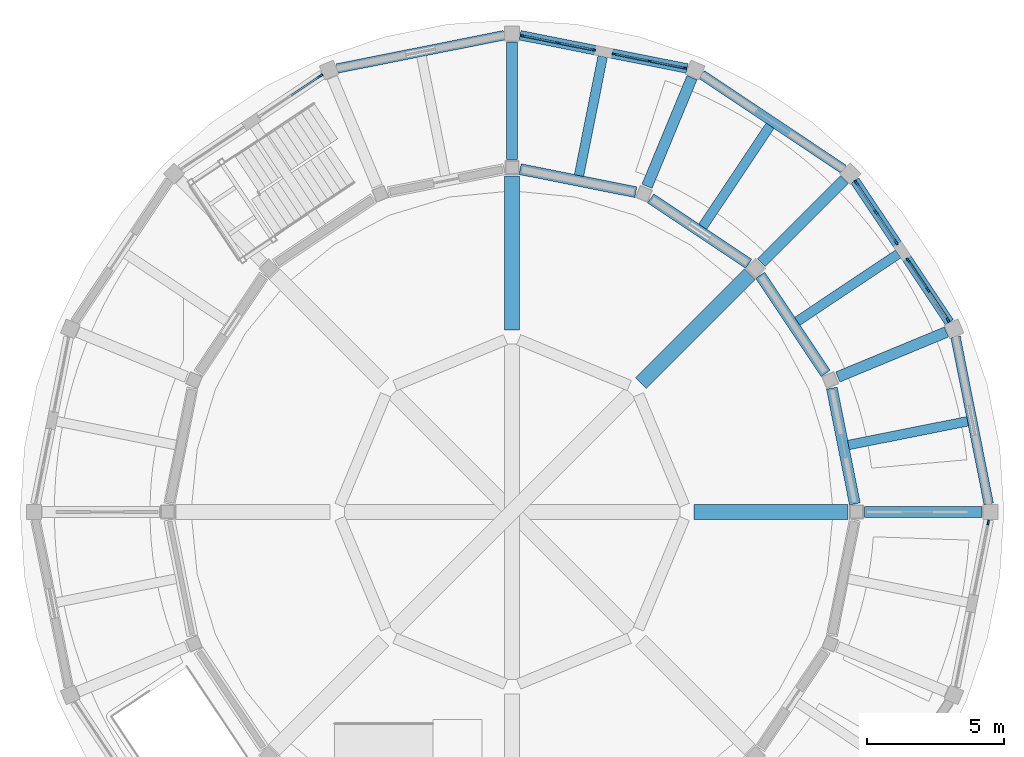
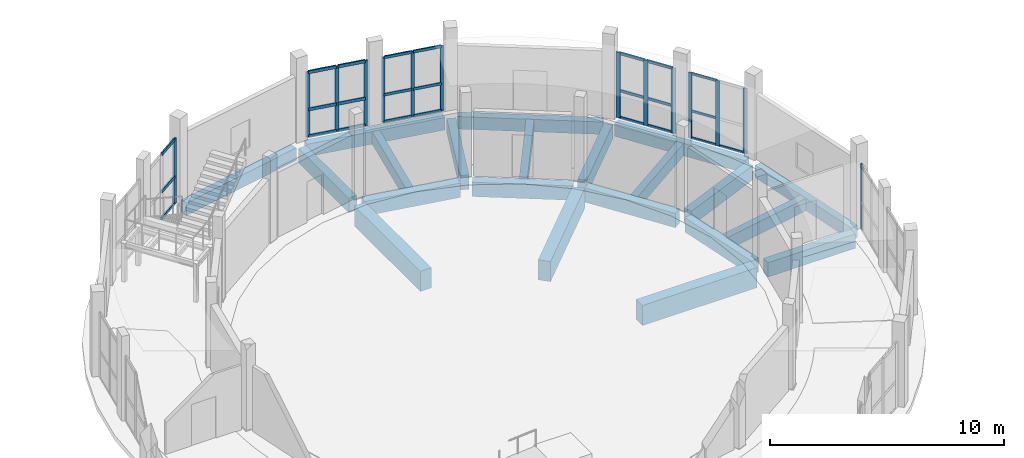
# One storey, part 48 of 92: 39 members, 21 beams, 6 elements without a shape of their own.
"""IFC4 building model written with IfcOpenShell, lengths in metres."""

from ifc_helpers import new_model, si_unit, direction, frame, origin, origin_2d, place, context, subcontext, project, spatial, rectangle, extrude, material, layer, layer_set, material_profile, profile_set, type_object, element, aggregate, save


model = new_model("IFC4")

# Units and contexts
model_context = context("Model", 3, precision=1e-05, world=origin(), true_north=direction((0.0, 1.0)))
body_context = subcontext(model_context, "Body", "Model", "MODEL_VIEW")
ifc_project = project(units=[si_unit("LENGTHUNIT", "METRE"), si_unit("AREAUNIT", "SQUARE_METRE"), si_unit("VOLUMEUNIT", "CUBIC_METRE"), si_unit("PLANEANGLEUNIT", "RADIAN"), si_unit("MASSUNIT", "GRAM", prefix="KILO")], contexts=[model_context])

# Site, building, storey
site_placement = place(None, origin())
site = spatial("IfcSite", under=ifc_project, at=site_placement, CompositionType="ELEMENT")
building_placement = place(site_placement, origin())
building = spatial("IfcBuilding", under=site, at=building_placement, Name="Caldaven Crescent School", CompositionType="ELEMENT")
storey_placement = place(building_placement, origin())
storey = spatial("IfcBuildingStorey", under=building, at=storey_placement, Name="L00", CompositionType="ELEMENT", Elevation=0.0)

# Beams
ifc_material_1 = material(Name="Concrete C30/37", Category="concrete")
ifc_material_profile_1 = material_profile(ifc_material_1, rectangle(XDim=0.35009765625, YDim=0.64990234375, at=origin_2d()), Name="RC 350x650")
ifc_profile_set_1 = profile_set([ifc_material_profile_1], Name="Concrete C30/37")
beam_type_1 = type_object("IfcBeamType", Name="BM-RC35", PredefinedType="BEAM", material=ifc_profile_set_1)
beam_1_placement = place(storey_placement, frame((164.806884765625, 100.947998046875, -0.5849609375), z_axis=(0.980780813205, 0.195112778797, 0.0), x_axis=(-0.195112778797, 0.980780813205, 0.0)))
element("IfcBeam", 1, at=beam_1_placement, inside=storey, type_object=beam_type_1, Name="JS-V1-L00-0007", PredefinedType="BEAM", context=body_context, shape_type="SweptSolid", body=[
    extrude(rectangle(XDim=0.35009765625, YDim=0.64990234375, at=origin_2d()), origin(), (0.0, 0.0, 1.0), 4.44580078125),
])
for number, where, z_axis, x_axis, name in (
    (2, (162.93310546875, 105.47119140625, -0.5849609375), (0.831483840845, 0.55554893791, 0.0), (-0.55554893791, 0.831483840845, 0.0), "JS-V1-L00-0011"),
    (3, (159.47119140625, 108.93310546875, -0.5849609375), (0.55554893791, 0.831483840845, 0.0), (-0.831483840845, 0.55554893791, 0.0), "JS-V1-L00-0018"),
):
    element("IfcBeam", number, at=place(storey_placement, frame(where, z_axis=z_axis, x_axis=x_axis)), inside=storey, type_object=beam_type_1, Name=name, PredefinedType="BEAM", context=body_context, shape_type="SweptSolid", body=[
        extrude(rectangle(XDim=0.35009765625, YDim=0.64990234375, at=origin_2d()), origin(), (0.0, 0.0, 1.0), 4.446044921875),
    ])
beam_2_placement = place(storey_placement, frame((154.947998046875, 110.806884765625, -0.5849609375), z_axis=(0.195112778797, 0.980780813205, 0.0), x_axis=(-0.980780813205, 0.195112778797, 0.0)))
element("IfcBeam", 4, at=beam_2_placement, inside=storey, type_object=beam_type_1, Name="JS-V1-L00-0022", PredefinedType="BEAM", context=body_context, shape_type="SweptSolid", body=[
    extrude(rectangle(XDim=0.35009765625, YDim=0.64990234375, at=origin_2d()), origin(), (0.0, 0.0, 1.0), 4.44580078125),
])
ifc_material_2 = material(Name="Concrete C35/45", Category="concrete")
ifc_material_profile_2 = material_profile(ifc_material_2, rectangle(XDim=0.39990234375, YDim=0.75, at=origin_2d()), Name="RC 400x750")
ifc_profile_set_2 = profile_set([ifc_material_profile_2], Name="Concrete C35/45")
beam_type_2 = type_object("IfcBeamType", Name="BM-RC40", PredefinedType="BEAM", material=ifc_profile_set_2)
beam_3_placement = place(storey_placement, frame((165.39990234375, 98.5, -0.635009765625), z_axis=(1.0, 0.0, 0.0), x_axis=(0.0, 1.0, 0.0)))
element("IfcBeam", 5, at=beam_3_placement, inside=storey, type_object=beam_type_2, Name="BM-V1-L00-0003", PredefinedType="BEAM", context=body_context, shape_type="SweptSolid", body=[
    extrude(rectangle(XDim=0.39990234375, YDim=0.75, at=origin_2d()), origin(), (0.0, 0.0, 1.0), 4.300048828125),
])
beam_4_placement = place(storey_placement, frame((165.04150390625, 98.794189453125, -0.635009765625), z_axis=(-0.1950826802, 0.980786800424, 0.0), x_axis=(-0.980786800424, -0.1950826802, 0.0)))
element("IfcBeam", 6, at=beam_4_placement, inside=storey, type_object=beam_type_2, Name="BM-V1-L00-0004", PredefinedType="BEAM", context=body_context, shape_type="SweptSolid", body=[
    extrude(rectangle(XDim=0.39990234375, YDim=0.75, at=origin_2d()), origin(), (0.0, 0.0, 1.0), 4.31640625),
])
beam_5_placement = place(storey_placement, frame((164.41796875, 103.4365234375, -0.635009765625), z_axis=(0.923861125887, 0.382727866864, 0.0), x_axis=(-0.382727866864, 0.923861125887, 0.0)))
element("IfcBeam", 7, at=beam_5_placement, inside=storey, type_object=beam_type_2, Name="BM-V1-L00-0008", PredefinedType="BEAM", context=body_context, shape_type="SweptSolid", body=[
    extrude(rectangle(XDim=0.39990234375, YDim=0.75, at=origin_2d()), origin(), (0.0, 0.0, 1.0), 4.300048828125),
])
beam_6_placement = place(storey_placement, frame((163.97412109375, 103.5712890625, -0.635009765625), z_axis=(-0.555561396292, 0.831475516747, 0.0), x_axis=(-0.831475516747, -0.555561396292, 0.0)))
element("IfcBeam", 8, at=beam_6_placement, inside=storey, type_object=beam_type_2, Name="BM-V1-L00-0009", PredefinedType="BEAM", context=body_context, shape_type="SweptSolid", body=[
    extrude(rectangle(XDim=0.39990234375, YDim=0.75, at=origin_2d()), origin(), (0.0, 0.0, 1.0), 4.316162109375),
])
beam_7_placement = place(storey_placement, frame((161.62158203125, 107.62158203125, -0.635009765625), z_axis=(0.707106781187, 0.707106781187, 0.0), x_axis=(-0.707106781187, 0.707106781187, 0.0)))
element("IfcBeam", 9, at=beam_7_placement, inside=storey, type_object=beam_type_2, Name="BM-V1-L00-0014", PredefinedType="BEAM", context=body_context, shape_type="SweptSolid", body=[
    extrude(rectangle(XDim=0.39990234375, YDim=0.75, at=origin_2d()), origin(), (0.0, 0.0, 1.0), 4.30029296875),
])
beam_8_placement = place(storey_placement, frame((161.16015625, 107.576171875, -0.635009765625), z_axis=(-0.831475516747, 0.555561396292, 0.0), x_axis=(-0.555561396292, -0.831475516747, 0.0)))
element("IfcBeam", 10, at=beam_8_placement, inside=storey, type_object=beam_type_2, Name="BM-V1-L00-0015", PredefinedType="BEAM", context=body_context, shape_type="SweptSolid", body=[
    extrude(rectangle(XDim=0.39990234375, YDim=0.75, at=origin_2d()), origin(), (0.0, 0.0, 1.0), 4.316162109375),
])
beam_9_placement = place(storey_placement, frame((157.4365234375, 110.41796875, -0.635009765625), z_axis=(0.382727866864, 0.923861125887, 0.0), x_axis=(-0.923861125887, 0.382727866864, 0.0)))
element("IfcBeam", 11, at=beam_9_placement, inside=storey, type_object=beam_type_2, Name="BM-V1-L00-0019", PredefinedType="BEAM", context=body_context, shape_type="SweptSolid", body=[
    extrude(rectangle(XDim=0.39990234375, YDim=0.75, at=origin_2d()), origin(), (0.0, 0.0, 1.0), 4.300048828125),
])
beam_10_placement = place(storey_placement, frame((157.027587890625, 110.199462890625, -0.635009765625), z_axis=(-0.980786800424, 0.1950826802, 0.0), x_axis=(-0.1950826802, -0.980786800424, 0.0)))
element("IfcBeam", 12, at=beam_10_placement, inside=storey, type_object=beam_type_2, Name="BM-V1-L00-0020", PredefinedType="BEAM", context=body_context, shape_type="SweptSolid", body=[
    extrude(rectangle(XDim=0.39990234375, YDim=0.75, at=origin_2d()), origin(), (0.0, 0.0, 1.0), 4.31640625),
])
beam_11_placement = place(storey_placement, frame((152.5, 111.39990234375, -0.635009765625), z_axis=(0.0, 1.0, 0.0), x_axis=(-1.0, 0.0, 0.0)))
element("IfcBeam", 13, at=beam_11_placement, inside=storey, type_object=beam_type_2, Name="BM-V1-L00-0025", PredefinedType="BEAM", context=body_context, shape_type="SweptSolid", body=[
    extrude(rectangle(XDim=0.39990234375, YDim=0.75, at=origin_2d()), origin(), (0.0, 0.0, 1.0), 4.300048828125),
])
ifc_material_profile_3 = material_profile(ifc_material_2, rectangle(XDim=0.550048828125, YDim=1.050048828125, at=origin_2d()), Name="RC 550x1050")
ifc_profile_set_3 = profile_set([ifc_material_profile_3], Name="Concrete C35/45")
beam_type_3 = type_object("IfcBeamType", Name="BM-RC55", PredefinedType="BEAM", material=ifc_profile_set_3)
beam_12_placement = place(storey_placement, frame((159.159912109375, 98.5, -0.784912109375), z_axis=(1.0, 0.0, 0.0), x_axis=(0.0, 1.0, 0.0)))
element("IfcBeam", 14, at=beam_12_placement, inside=storey, type_object=beam_type_3, Name="BM-V1-L00-0002", PredefinedType="BEAM", context=body_context, shape_type="SweptSolid", body=[
    extrude(rectangle(XDim=0.550048828125, YDim=1.050048828125, at=origin_2d()), origin(), (0.0, 0.0, 1.0), 5.64013671875),
])
beam_13_placement = place(storey_placement, frame((157.209228515625, 103.209228515625, -0.784912109375), z_axis=(0.707106781187, 0.707106781187, 0.0), x_axis=(-0.707106781187, 0.707106781187, 0.0)))
element("IfcBeam", 15, at=beam_13_placement, inside=storey, type_object=beam_type_3, Name="BM-V1-L00-0013", PredefinedType="BEAM", context=body_context, shape_type="SweptSolid", body=[
    extrude(rectangle(XDim=0.550048828125, YDim=1.050048828125, at=origin_2d()), origin(), (0.0, 0.0, 1.0), 5.640380859375),
])
beam_14_placement = place(storey_placement, frame((152.5, 105.159912109375, -0.784912109375), z_axis=(0.0, 1.0, 0.0), x_axis=(-1.0, 0.0, 0.0)))
element("IfcBeam", 16, at=beam_14_placement, inside=storey, type_object=beam_type_3, Name="BM-V1-L00-0024", PredefinedType="BEAM", context=body_context, shape_type="SweptSolid", body=[
    extrude(rectangle(XDim=0.550048828125, YDim=1.050048828125, at=origin_2d()), origin(), (0.0, 0.0, 1.0), 5.64013671875),
])

# Curtain wall, members
ifc_material_3 = material(Name="Anodised aluminium AA 6063-T6 and low-E double glazing", Category="aluminium")
ifc_layer_1 = layer(ifc_material_3, 0.22998046875)
ifc_layer_set_1 = layer_set([ifc_layer_1], Name="Anodised aluminium AA 6063-T6 and low-E double glazing")
curtain_wall_type_1 = type_object("IfcCurtainWallType", Name="CW-SYS4", PredefinedType="NOTDEFINED", material=ifc_layer_set_1)
curtain_wall_1_placement = place(storey_placement, origin())
curtain_wall_1 = element("IfcCurtainWall", 17, at=curtain_wall_1_placement, inside=storey, type_object=curtain_wall_type_1, Name="CW-L00-003", PredefinedType="NOTDEFINED")
ifc_material_4 = material(Name="Anodised aluminium AA 6063-T6", Category="aluminium")
ifc_material_profile_4 = material_profile(ifc_material_4, rectangle(XDim=0.06005859375, YDim=0.14990234375, at=origin_2d()), Name="CWM 60x150")
ifc_profile_set_4 = profile_set([ifc_material_profile_4], Name="Anodised aluminium AA 6063-T6")
member_type_1 = type_object("IfcMemberType", Name="CWM-T1", PredefinedType="MULLION", material=ifc_profile_set_4)
member_1_placement = place(storey_placement, frame((158.814453125, 114.743896484375, 0.0), z_axis=(0.0, 0.0, 1.0), x_axis=(-0.195090276825, -0.980785289392, 0.0)))
member_1 = element("IfcMember", 18, at=member_1_placement, type_object=member_type_1, Name="CW4 mullion 1", PredefinedType="MULLION", context=body_context, shape_type="SweptSolid", body=[
    extrude(rectangle(XDim=0.06005859375, YDim=0.14990234375, at=origin_2d()), origin(), (0.0, 0.0, 1.0), 3.39990234375),
])
member_2_placement = place(storey_placement, frame((157.522705078125, 115.0009765625, 0.0), z_axis=(0.0, 0.0, 1.0), x_axis=(-0.195090276825, -0.980785289392, 0.0)))
member_2 = element("IfcMember", 19, at=member_2_placement, type_object=member_type_1, Name="CW4 mullion 2", PredefinedType="MULLION", context=body_context, shape_type="SweptSolid", body=[
    extrude(rectangle(XDim=0.06005859375, YDim=0.14990234375, at=origin_2d()), origin(), (0.0, 0.0, 1.0), 3.39990234375),
])
member_3_placement = place(storey_placement, frame((156.23095703125, 115.2578125, 0.0), z_axis=(0.0, 0.0, 1.0), x_axis=(-0.195090276825, -0.980785289392, 0.0)))
member_3 = element("IfcMember", 20, at=member_3_placement, type_object=member_type_1, Name="CW4 mullion 3", PredefinedType="MULLION", context=body_context, shape_type="SweptSolid", body=[
    extrude(rectangle(XDim=0.06005859375, YDim=0.14990234375, at=origin_2d()), origin(), (0.0, 0.0, 1.0), 3.39990234375),
])

ifc_layer_2 = layer(ifc_material_3, 0.18994140625)
ifc_layer_set_2 = layer_set([ifc_layer_2], Name="Anodised aluminium AA 6063-T6 and low-E double glazing")
curtain_wall_type_2 = type_object("IfcCurtainWallType", Name="CW-SYS2", PredefinedType="NOTDEFINED", material=ifc_layer_set_2)
curtain_wall_2_placement = place(storey_placement, origin())
curtain_wall_2 = element("IfcCurtainWall", 21, at=curtain_wall_2_placement, inside=storey, type_object=curtain_wall_type_2, Name="CW-L00-001", PredefinedType="NOTDEFINED")
ifc_material_profile_5 = material_profile(ifc_material_4, rectangle(XDim=0.06494140625, YDim=0.179931640625, at=origin_2d()), Name="CWM 65x180")
ifc_profile_set_5 = profile_set([ifc_material_profile_5], Name="Anodised aluminium AA 6063-T6")
member_type_2 = type_object("IfcMemberType", Name="CWM-T2", PredefinedType="MULLION", material=ifc_profile_set_5)
member_4_placement = place(storey_placement, frame((168.449951171875, 105.523193359375, 0.0), z_axis=(0.0, 0.0, 1.0), x_axis=(-0.83147022235, -0.555569320019, 0.0)))
member_4 = element("IfcMember", 22, at=member_4_placement, type_object=member_type_2, Name="CW2 mullion 1", PredefinedType="MULLION", context=body_context, shape_type="SweptSolid", body=[
    extrude(rectangle(XDim=0.06494140625, YDim=0.179931640625, at=origin_2d()), origin(), (0.0, 0.0, 1.0), 3.39990234375),
])
member_5_placement = place(storey_placement, frame((167.719482421875, 106.6162109375, 0.0), z_axis=(0.0, 0.0, 1.0), x_axis=(-0.83147022235, -0.555569320019, 0.0)))
member_5 = element("IfcMember", 23, at=member_5_placement, type_object=member_type_2, Name="CW2 mullion 2", PredefinedType="MULLION", context=body_context, shape_type="SweptSolid", body=[
    extrude(rectangle(XDim=0.06494140625, YDim=0.179931640625, at=origin_2d()), origin(), (0.0, 0.0, 1.0), 3.39990234375),
])
member_6_placement = place(storey_placement, frame((166.9892578125, 107.709228515625, 0.0), z_axis=(0.0, 0.0, 1.0), x_axis=(-0.83147022235, -0.555569320019, 0.0)))
member_6 = element("IfcMember", 24, at=member_6_placement, type_object=member_type_2, Name="CW2 mullion 3", PredefinedType="MULLION", context=body_context, shape_type="SweptSolid", body=[
    extrude(rectangle(XDim=0.06494140625, YDim=0.179931640625, at=origin_2d()), origin(), (0.0, 0.0, 1.0), 3.39990234375),
])

ifc_layer_3 = layer(ifc_material_3, 0.169921875)
ifc_layer_set_3 = layer_set([ifc_layer_3], Name="Anodised aluminium AA 6063-T6 and low-E double glazing")
curtain_wall_type_3 = type_object("IfcCurtainWallType", Name="CW-SYS1", PredefinedType="NOTDEFINED", material=ifc_layer_set_3)
curtain_wall_3_placement = place(storey_placement, origin())
curtain_wall_3 = element("IfcCurtainWall", 25, at=curtain_wall_3_placement, inside=storey, type_object=curtain_wall_type_3, Name="CW-L00-004", PredefinedType="NOTDEFINED")
member_7_placement = place(storey_placement, frame((155.463623046875, 115.410400390625, 0.0), z_axis=(0.0, 0.0, 1.0), x_axis=(-0.195090276825, -0.980785289392, 0.0)))
member_7 = element("IfcMember", 26, at=member_7_placement, type_object=member_type_2, Name="CW1 mullion 1", PredefinedType="MULLION", context=body_context, shape_type="SweptSolid", body=[
    extrude(rectangle(XDim=0.06494140625, YDim=0.179931640625, at=origin_2d()), origin(), (0.0, 0.0, 1.0), 3.39990234375),
])
member_8_placement = place(storey_placement, frame((154.17431640625, 115.6669921875, 0.0), z_axis=(0.0, 0.0, 1.0), x_axis=(-0.195090276825, -0.980785289392, 0.0)))
member_8 = element("IfcMember", 27, at=member_8_placement, type_object=member_type_2, Name="CW1 mullion 2", PredefinedType="MULLION", context=body_context, shape_type="SweptSolid", body=[
    extrude(rectangle(XDim=0.06494140625, YDim=0.179931640625, at=origin_2d()), origin(), (0.0, 0.0, 1.0), 3.39990234375),
])
member_9_placement = place(storey_placement, frame((152.885009765625, 115.92333984375, 0.0), z_axis=(0.0, 0.0, 1.0), x_axis=(-0.195090276825, -0.980785289392, 0.0)))
member_9 = element("IfcMember", 28, at=member_9_placement, type_object=member_type_2, Name="CW1 mullion 3", PredefinedType="MULLION", context=body_context, shape_type="SweptSolid", body=[
    extrude(rectangle(XDim=0.06494140625, YDim=0.179931640625, at=origin_2d()), origin(), (0.0, 0.0, 1.0), 3.39990234375),
])

# Curtain wall, member
curtain_wall_4_placement = place(storey_placement, origin())
curtain_wall_4 = element("IfcCurtainWall", 29, at=curtain_wall_4_placement, inside=storey, type_object=curtain_wall_type_3, Name="CW-L00-016", PredefinedType="NOTDEFINED")
member_10_placement = place(storey_placement, frame((169.92333984375, 98.114990234375, 0.0), z_axis=(0.0, 0.0, 1.0), x_axis=(-0.980785289392, 0.195090276825, 0.0)))
member_10 = element("IfcMember", 30, at=member_10_placement, type_object=member_type_2, Name="CW1 mullion 3", PredefinedType="MULLION", context=body_context, shape_type="SweptSolid", body=[
    extrude(rectangle(XDim=0.06494140625, YDim=0.179931640625, at=origin_2d()), origin(), (0.0, 0.0, 1.0), 3.39990234375),
])
aggregate(curtain_wall_4, [member_10])

# Curtain wall, members
ifc_layer_4 = layer(ifc_material_3, 0.2099609375)
ifc_layer_set_4 = layer_set([ifc_layer_4], Name="Anodised aluminium AA 6063-T6 and low-E double glazing")
curtain_wall_type_4 = type_object("IfcCurtainWallType", Name="CW-SYS3", PredefinedType="NOTDEFINED", material=ifc_layer_set_4)
curtain_wall_5_placement = place(storey_placement, origin())
curtain_wall_5 = element("IfcCurtainWall", 31, at=curtain_wall_5_placement, inside=storey, type_object=curtain_wall_type_4, Name="CW-L00-002", PredefinedType="NOTDEFINED")
ifc_material_profile_6 = material_profile(ifc_material_4, rectangle(XDim=0.070068359375, YDim=0.2099609375, at=origin_2d()), Name="CWM 70x210")
ifc_profile_set_6 = profile_set([ifc_material_profile_6], Name="Anodised aluminium AA 6063-T6")
member_type_3 = type_object("IfcMemberType", Name="CWM-T3", PredefinedType="MULLION", material=ifc_profile_set_6)
member_11_placement = place(storey_placement, frame((166.5517578125, 108.364013671875, 0.0), z_axis=(0.0, 0.0, 1.0), x_axis=(-0.831468507711, -0.555571886154, 0.0)))
member_11 = element("IfcMember", 32, at=member_11_placement, type_object=member_type_3, Name="CW3 mullion 1", PredefinedType="MULLION", context=body_context, shape_type="SweptSolid", body=[
    extrude(rectangle(XDim=0.070068359375, YDim=0.2099609375, at=origin_2d()), origin(), (0.0, 0.0, 1.0), 3.39990234375),
])
member_12_placement = place(storey_placement, frame((165.82275390625, 109.455078125, 0.0), z_axis=(0.0, 0.0, 1.0), x_axis=(-0.831468507711, -0.555571886154, 0.0)))
member_12 = element("IfcMember", 33, at=member_12_placement, type_object=member_type_3, Name="CW3 mullion 2", PredefinedType="MULLION", context=body_context, shape_type="SweptSolid", body=[
    extrude(rectangle(XDim=0.070068359375, YDim=0.2099609375, at=origin_2d()), origin(), (0.0, 0.0, 1.0), 3.39990234375),
])
member_13_placement = place(storey_placement, frame((165.09375, 110.5458984375, 0.0), z_axis=(0.0, 0.0, 1.0), x_axis=(-0.831468507711, -0.555571886154, 0.0)))
member_13 = element("IfcMember", 34, at=member_13_placement, type_object=member_type_3, Name="CW3 mullion 3", PredefinedType="MULLION", context=body_context, shape_type="SweptSolid", body=[
    extrude(rectangle(XDim=0.070068359375, YDim=0.2099609375, at=origin_2d()), origin(), (0.0, 0.0, 1.0), 3.39990234375),
])

# Curtain wall, member
curtain_wall_6_placement = place(storey_placement, origin())
curtain_wall_6 = element("IfcCurtainWall", 35, at=curtain_wall_6_placement, inside=storey, type_object=curtain_wall_type_2, Name="CW-L00-005", PredefinedType="NOTDEFINED")
member_14_placement = place(storey_placement, frame((145.474609375, 114.448486328125, 0.0), z_axis=(0.0, 0.0, 1.0), x_axis=(0.555569320019, -0.83147022235, 0.0)))
member_14 = element("IfcMember", 36, at=member_14_placement, type_object=member_type_3, Name="CW2 mullion 1", PredefinedType="MULLION", context=body_context, shape_type="SweptSolid", body=[
    extrude(rectangle(XDim=0.070068359375, YDim=0.2099609375, at=origin_2d()), origin(), (0.0, 0.0, 1.0), 3.39990234375),
])

# Member
ifc_material_profile_7 = material_profile(ifc_material_4, rectangle(XDim=0.06005859375, YDim=0.1201171875, at=origin_2d()), Name="CWT 60x120")
ifc_profile_set_7 = profile_set([ifc_material_profile_7], Name="Anodised aluminium AA 6063-T6")
member_type_4 = type_object("IfcMemberType", Name="CWT-T1", PredefinedType="USERDEFINED", material=ifc_profile_set_7)
member_15_placement = place(storey_placement, frame((168.431884765625, 105.55029296875, 0.030029296875), z_axis=(-0.555601528316, 0.831448700602, 0.0), x_axis=(-0.831448700602, -0.555601528316, 0.0)))
member_15 = element("IfcMember", 37, at=member_15_placement, type_object=member_type_4, Name="CW2 transom 1.1", ObjectType="TRANSOM", PredefinedType="USERDEFINED", context=body_context, shape_type="SweptSolid", body=[
    extrude(rectangle(XDim=0.06005859375, YDim=0.1201171875, at=origin_2d()), origin(), (0.0, 0.0, 1.0), 1.249755859375),
])

member_16_placement = place(storey_placement, frame((167.701416015625, 106.643310546875, 0.030029296875), z_axis=(-0.555466453164, 0.831538946418, 0.0), x_axis=(-0.831538946418, -0.555466453164, 0.0)))
member_16 = element("IfcMember", 38, at=member_16_placement, type_object=member_type_4, Name="CW2 transom 2.1", ObjectType="TRANSOM", PredefinedType="USERDEFINED", context=body_context, shape_type="SweptSolid", body=[
    extrude(rectangle(XDim=0.06005859375, YDim=0.1201171875, at=origin_2d()), origin(), (0.0, 0.0, 1.0), 1.24951171875),
])

member_17_placement = place(storey_placement, frame((167.701416015625, 106.643310546875, 1.427978515625), z_axis=(-0.555466453164, 0.831538946418, 0.0), x_axis=(-0.831538946418, -0.555466453164, 0.0)))
member_17 = element("IfcMember", 39, at=member_17_placement, type_object=member_type_4, Name="CW2 transom 2.2", ObjectType="TRANSOM", PredefinedType="USERDEFINED", context=body_context, shape_type="SweptSolid", body=[
    extrude(rectangle(XDim=0.06005859375, YDim=0.1201171875, at=origin_2d()), origin(), (0.0, 0.0, 1.0), 1.24951171875),
])

member_18_placement = place(storey_placement, frame((167.701416015625, 106.643310546875, 3.3701171875), z_axis=(-0.555466453164, 0.831538946418, 0.0), x_axis=(-0.831538946418, -0.555466453164, 0.0)))
member_18 = element("IfcMember", 40, at=member_18_placement, type_object=member_type_4, Name="CW2 transom 2.3", ObjectType="TRANSOM", PredefinedType="USERDEFINED", context=body_context, shape_type="SweptSolid", body=[
    extrude(rectangle(XDim=0.06005859375, YDim=0.1201171875, at=origin_2d()), origin(), (0.0, 0.0, 1.0), 1.24951171875),
])

aggregate(curtain_wall_2, [member_4, member_5, member_6, member_15, member_16, member_17, member_18])

ifc_material_profile_8 = material_profile(ifc_material_4, rectangle(XDim=0.06494140625, YDim=0.139892578125, at=origin_2d()), Name="CWT 65x140")
ifc_profile_set_8 = profile_set([ifc_material_profile_8], Name="Anodised aluminium AA 6063-T6")
member_type_5 = type_object("IfcMemberType", Name="CWT-T2", PredefinedType="USERDEFINED", material=ifc_profile_set_8)
member_19_placement = place(storey_placement, frame((166.5322265625, 108.393310546875, 0.032470703125), z_axis=(-0.555516464837, 0.831505536539, 0.0), x_axis=(-0.831505536539, -0.555516464837, 0.0)))
member_19 = element("IfcMember", 41, at=member_19_placement, type_object=member_type_5, Name="CW3 transom 1.1", ObjectType="TRANSOM", PredefinedType="USERDEFINED", context=body_context, shape_type="SweptSolid", body=[
    extrude(rectangle(XDim=0.06494140625, YDim=0.139892578125, at=origin_2d()), origin(), (0.0, 0.0, 1.0), 1.241943359375),
])

member_20_placement = place(storey_placement, frame((166.5322265625, 108.393310546875, 1.427978515625), z_axis=(-0.555516464837, 0.831505536539, 0.0), x_axis=(-0.831505536539, -0.555516464837, 0.0)))
member_20 = element("IfcMember", 42, at=member_20_placement, type_object=member_type_5, Name="CW3 transom 1.2", ObjectType="TRANSOM", PredefinedType="USERDEFINED", context=body_context, shape_type="SweptSolid", body=[
    extrude(rectangle(XDim=0.06494140625, YDim=0.139892578125, at=origin_2d()), origin(), (0.0, 0.0, 1.0), 1.241943359375),
])

member_21_placement = place(storey_placement, frame((166.5322265625, 108.393310546875, 3.367431640625), z_axis=(-0.555516464837, 0.831505536539, 0.0), x_axis=(-0.831505536539, -0.555516464837, 0.0)))
member_21 = element("IfcMember", 43, at=member_21_placement, type_object=member_type_5, Name="CW3 transom 1.3", ObjectType="TRANSOM", PredefinedType="USERDEFINED", context=body_context, shape_type="SweptSolid", body=[
    extrude(rectangle(XDim=0.06494140625, YDim=0.139892578125, at=origin_2d()), origin(), (0.0, 0.0, 1.0), 1.241943359375),
])

member_22_placement = place(storey_placement, frame((165.80322265625, 109.484130859375, 0.032470703125), z_axis=(-0.555516464837, 0.831505536539, 0.0), x_axis=(-0.831505536539, -0.555516464837, 0.0)))
member_22 = element("IfcMember", 44, at=member_22_placement, type_object=member_type_5, Name="CW3 transom 2.1", ObjectType="TRANSOM", PredefinedType="USERDEFINED", context=body_context, shape_type="SweptSolid", body=[
    extrude(rectangle(XDim=0.06494140625, YDim=0.139892578125, at=origin_2d()), origin(), (0.0, 0.0, 1.0), 1.241943359375),
])

member_23_placement = place(storey_placement, frame((165.80322265625, 109.484130859375, 1.427978515625), z_axis=(-0.555516464837, 0.831505536539, 0.0), x_axis=(-0.831505536539, -0.555516464837, 0.0)))
member_23 = element("IfcMember", 45, at=member_23_placement, type_object=member_type_5, Name="CW3 transom 2.2", ObjectType="TRANSOM", PredefinedType="USERDEFINED", context=body_context, shape_type="SweptSolid", body=[
    extrude(rectangle(XDim=0.06494140625, YDim=0.139892578125, at=origin_2d()), origin(), (0.0, 0.0, 1.0), 1.241943359375),
])

member_24_placement = place(storey_placement, frame((165.80322265625, 109.484130859375, 3.367431640625), z_axis=(-0.555516464837, 0.831505536539, 0.0), x_axis=(-0.831505536539, -0.555516464837, 0.0)))
member_24 = element("IfcMember", 46, at=member_24_placement, type_object=member_type_5, Name="CW3 transom 2.3", ObjectType="TRANSOM", PredefinedType="USERDEFINED", context=body_context, shape_type="SweptSolid", body=[
    extrude(rectangle(XDim=0.06494140625, YDim=0.139892578125, at=origin_2d()), origin(), (0.0, 0.0, 1.0), 1.241943359375),
])

aggregate(curtain_wall_5, [member_11, member_12, member_13, member_19, member_20, member_21, member_22, member_23, member_24])

member_25_placement = place(storey_placement, frame((158.784912109375, 114.749755859375, 0.032470703125), z_axis=(-0.980759571954, 0.195219522641, 0.0), x_axis=(-0.195219522641, -0.980759571954, 0.0)))
member_25 = element("IfcMember", 47, at=member_25_placement, type_object=member_type_5, Name="CW4 transom 1.1", ObjectType="TRANSOM", PredefinedType="USERDEFINED", context=body_context, shape_type="SweptSolid", body=[
    extrude(rectangle(XDim=0.06494140625, YDim=0.139892578125, at=origin_2d()), origin(), (0.0, 0.0, 1.0), 1.2568359375),
])

member_26_placement = place(storey_placement, frame((158.784912109375, 114.749755859375, 1.427978515625), z_axis=(-0.980759571954, 0.195219522641, 0.0), x_axis=(-0.195219522641, -0.980759571954, 0.0)))
member_26 = element("IfcMember", 48, at=member_26_placement, type_object=member_type_5, Name="CW4 transom 1.2", ObjectType="TRANSOM", PredefinedType="USERDEFINED", context=body_context, shape_type="SweptSolid", body=[
    extrude(rectangle(XDim=0.06494140625, YDim=0.139892578125, at=origin_2d()), origin(), (0.0, 0.0, 1.0), 1.2568359375),
])

member_27_placement = place(storey_placement, frame((158.784912109375, 114.749755859375, 3.367431640625), z_axis=(-0.980759571954, 0.195219522641, 0.0), x_axis=(-0.195219522641, -0.980759571954, 0.0)))
member_27 = element("IfcMember", 49, at=member_27_placement, type_object=member_type_5, Name="CW4 transom 1.3", ObjectType="TRANSOM", PredefinedType="USERDEFINED", context=body_context, shape_type="SweptSolid", body=[
    extrude(rectangle(XDim=0.06494140625, YDim=0.139892578125, at=origin_2d()), origin(), (0.0, 0.0, 1.0), 1.2568359375),
])

member_28_placement = place(storey_placement, frame((157.493408203125, 115.0068359375, 0.032470703125), z_axis=(-0.980804133939, 0.194995514945, 0.0), x_axis=(-0.194995514945, -0.980804133939, 0.0)))
member_28 = element("IfcMember", 50, at=member_28_placement, type_object=member_type_5, Name="CW4 transom 2.1", ObjectType="TRANSOM", PredefinedType="USERDEFINED", context=body_context, shape_type="SweptSolid", body=[
    extrude(rectangle(XDim=0.06494140625, YDim=0.139892578125, at=origin_2d()), origin(), (0.0, 0.0, 1.0), 1.257080078125),
])

member_29_placement = place(storey_placement, frame((157.493408203125, 115.0068359375, 1.427978515625), z_axis=(-0.980804133939, 0.194995514945, 0.0), x_axis=(-0.194995514945, -0.980804133939, 0.0)))
member_29 = element("IfcMember", 51, at=member_29_placement, type_object=member_type_5, Name="CW4 transom 2.2", ObjectType="TRANSOM", PredefinedType="USERDEFINED", context=body_context, shape_type="SweptSolid", body=[
    extrude(rectangle(XDim=0.06494140625, YDim=0.139892578125, at=origin_2d()), origin(), (0.0, 0.0, 1.0), 1.257080078125),
])

member_30_placement = place(storey_placement, frame((157.493408203125, 115.0068359375, 3.367431640625), z_axis=(-0.980804133939, 0.194995514945, 0.0), x_axis=(-0.194995514945, -0.980804133939, 0.0)))
member_30 = element("IfcMember", 52, at=member_30_placement, type_object=member_type_5, Name="CW4 transom 2.3", ObjectType="TRANSOM", PredefinedType="USERDEFINED", context=body_context, shape_type="SweptSolid", body=[
    extrude(rectangle(XDim=0.06494140625, YDim=0.139892578125, at=origin_2d()), origin(), (0.0, 0.0, 1.0), 1.257080078125),
])

aggregate(curtain_wall_1, [member_1, member_2, member_3, member_25, member_26, member_27, member_28, member_29, member_30])

ifc_material_profile_9 = material_profile(ifc_material_4, rectangle(XDim=0.070068359375, YDim=0.159912109375, at=origin_2d()), Name="CWT 70x160")
ifc_profile_set_9 = profile_set([ifc_material_profile_9], Name="Anodised aluminium AA 6063-T6")
member_type_6 = type_object("IfcMemberType", Name="CWT-T3", PredefinedType="USERDEFINED", material=ifc_profile_set_9)
member_31_placement = place(storey_placement, frame((155.431640625, 115.416748046875, 0.034912109375), z_axis=(-0.980768083638, 0.195176756087, 0.0), x_axis=(-0.195176756087, -0.980768083638, 0.0)))
member_31 = element("IfcMember", 53, at=member_31_placement, type_object=member_type_6, Name="CW1 transom 1.1", ObjectType="TRANSOM", PredefinedType="USERDEFINED", context=body_context, shape_type="SweptSolid", body=[
    extrude(rectangle(XDim=0.070068359375, YDim=0.159912109375, at=origin_2d()), origin(), (0.0, 0.0, 1.0), 1.24951171875),
])

member_32_placement = place(storey_placement, frame((155.431640625, 115.416748046875, 1.427978515625), z_axis=(-0.980768083638, 0.195176756087, 0.0), x_axis=(-0.195176756087, -0.980768083638, 0.0)))
member_32 = element("IfcMember", 54, at=member_32_placement, type_object=member_type_6, Name="CW1 transom 1.2", ObjectType="TRANSOM", PredefinedType="USERDEFINED", context=body_context, shape_type="SweptSolid", body=[
    extrude(rectangle(XDim=0.070068359375, YDim=0.159912109375, at=origin_2d()), origin(), (0.0, 0.0, 1.0), 1.24951171875),
])

member_33_placement = place(storey_placement, frame((155.431640625, 115.416748046875, 3.364990234375), z_axis=(-0.980768083638, 0.195176756087, 0.0), x_axis=(-0.195176756087, -0.980768083638, 0.0)))
member_33 = element("IfcMember", 55, at=member_33_placement, type_object=member_type_6, Name="CW1 transom 1.3", ObjectType="TRANSOM", PredefinedType="USERDEFINED", context=body_context, shape_type="SweptSolid", body=[
    extrude(rectangle(XDim=0.070068359375, YDim=0.159912109375, at=origin_2d()), origin(), (0.0, 0.0, 1.0), 1.24951171875),
])

member_34_placement = place(storey_placement, frame((154.142333984375, 115.67333984375, 0.034912109375), z_axis=(-0.980805465802, 0.194988815711, 0.0), x_axis=(-0.194988815711, -0.980805465802, 0.0)))
member_34 = element("IfcMember", 56, at=member_34_placement, type_object=member_type_6, Name="CW1 transom 2.1", ObjectType="TRANSOM", PredefinedType="USERDEFINED", context=body_context, shape_type="SweptSolid", body=[
    extrude(rectangle(XDim=0.070068359375, YDim=0.159912109375, at=origin_2d()), origin(), (0.0, 0.0, 1.0), 1.24951171875),
])

member_35_placement = place(storey_placement, frame((154.142333984375, 115.67333984375, 1.427978515625), z_axis=(-0.980805465802, 0.194988815711, 0.0), x_axis=(-0.194988815711, -0.980805465802, 0.0)))
member_35 = element("IfcMember", 57, at=member_35_placement, type_object=member_type_6, Name="CW1 transom 2.2", ObjectType="TRANSOM", PredefinedType="USERDEFINED", context=body_context, shape_type="SweptSolid", body=[
    extrude(rectangle(XDim=0.070068359375, YDim=0.159912109375, at=origin_2d()), origin(), (0.0, 0.0, 1.0), 1.24951171875),
])

member_36_placement = place(storey_placement, frame((154.142333984375, 115.67333984375, 3.364990234375), z_axis=(-0.980805465802, 0.194988815711, 0.0), x_axis=(-0.194988815711, -0.980805465802, 0.0)))
member_36 = element("IfcMember", 58, at=member_36_placement, type_object=member_type_6, Name="CW1 transom 2.3", ObjectType="TRANSOM", PredefinedType="USERDEFINED", context=body_context, shape_type="SweptSolid", body=[
    extrude(rectangle(XDim=0.070068359375, YDim=0.159912109375, at=origin_2d()), origin(), (0.0, 0.0, 1.0), 1.24951171875),
])

aggregate(curtain_wall_3, [member_7, member_8, member_9, member_31, member_32, member_33, member_34, member_35, member_36])

member_37_placement = place(storey_placement, frame((145.445556640625, 114.428955078125, 0.034912109375), z_axis=(-0.831505536539, -0.555516464837, 0.0), x_axis=(0.555516464837, -0.831505536539, 0.0)))
member_37 = element("IfcMember", 59, at=member_37_placement, type_object=member_type_6, Name="CW2 transom 1.1", ObjectType="TRANSOM", PredefinedType="USERDEFINED", context=body_context, shape_type="SweptSolid", body=[
    extrude(rectangle(XDim=0.070068359375, YDim=0.159912109375, at=origin_2d()), origin(), (0.0, 0.0, 1.0), 1.241943359375),
])

member_38_placement = place(storey_placement, frame((145.445556640625, 114.428955078125, 1.427978515625), z_axis=(-0.831505536539, -0.555516464837, 0.0), x_axis=(0.555516464837, -0.831505536539, 0.0)))
member_38 = element("IfcMember", 60, at=member_38_placement, type_object=member_type_6, Name="CW2 transom 1.2", ObjectType="TRANSOM", PredefinedType="USERDEFINED", context=body_context, shape_type="SweptSolid", body=[
    extrude(rectangle(XDim=0.070068359375, YDim=0.159912109375, at=origin_2d()), origin(), (0.0, 0.0, 1.0), 1.241943359375),
])

member_39_placement = place(storey_placement, frame((145.445556640625, 114.428955078125, 3.364990234375), z_axis=(-0.831505536539, -0.555516464837, 0.0), x_axis=(0.555516464837, -0.831505536539, 0.0)))
member_39 = element("IfcMember", 61, at=member_39_placement, type_object=member_type_6, Name="CW2 transom 1.3", ObjectType="TRANSOM", PredefinedType="USERDEFINED", context=body_context, shape_type="SweptSolid", body=[
    extrude(rectangle(XDim=0.070068359375, YDim=0.159912109375, at=origin_2d()), origin(), (0.0, 0.0, 1.0), 1.241943359375),
])

aggregate(curtain_wall_6, [member_14, member_37, member_38, member_39])

# Beams
ifc_material_profile_10 = material_profile(ifc_material_1, rectangle(XDim=0.35009765625, YDim=0.64990234375, at=origin_2d()), Name="RC 350x650")
ifc_profile_set_10 = profile_set([ifc_material_profile_10], Name="Concrete C30/37")
beam_type_4 = type_object("IfcBeamType", Name="SP-RC35", PredefinedType="SPANDREL", material=ifc_profile_set_10)
for number, where, z_axis, x_axis, name in (
    (62, (169.94140625, 98.794189453125, -0.5849609375), (-0.195090836929, 0.98078517798, 0.0), (-0.98078517798, -0.195090836929, 0.0), "BM-V1-L00-0005"),
    (63, (168.501220703125, 105.4462890625, -0.5849609375), (-0.555559250421, 0.831476950535, 0.0), (-0.831476950535, -0.555559250421, 0.0), "BM-V1-L00-0010"),
    (64, (164.625, 111.041015625, -0.5849609375), (-0.831476950535, 0.555559250421, 0.0), (-0.555559250421, -0.831476950535, 0.0), "BM-V1-L00-0016"),
    (65, (158.90283203125, 114.726318359375, -0.5849609375), (-0.98078517798, 0.195090836929, 0.0), (-0.195090836929, -0.98078517798, 0.0), "BM-V1-L00-0021"),
    (66, (152.205810546875, 115.94140625, -0.5849609375), (-0.98078517798, -0.195090836929, 0.0), (0.195090836929, -0.98078517798, 0.0), "BM-V1-L00-0027"),
):
    element("IfcBeam", number, at=place(storey_placement, frame(where, z_axis=z_axis, x_axis=x_axis)), inside=storey, type_object=beam_type_4, Name=name, PredefinedType="SPANDREL", context=body_context, shape_type="SweptSolid", body=[
        extrude(rectangle(XDim=0.35009765625, YDim=0.64990234375, at=origin_2d()), origin(), (0.0, 0.0, 1.0), 6.228271484375),
    ])

save(model, "model.ifc")
